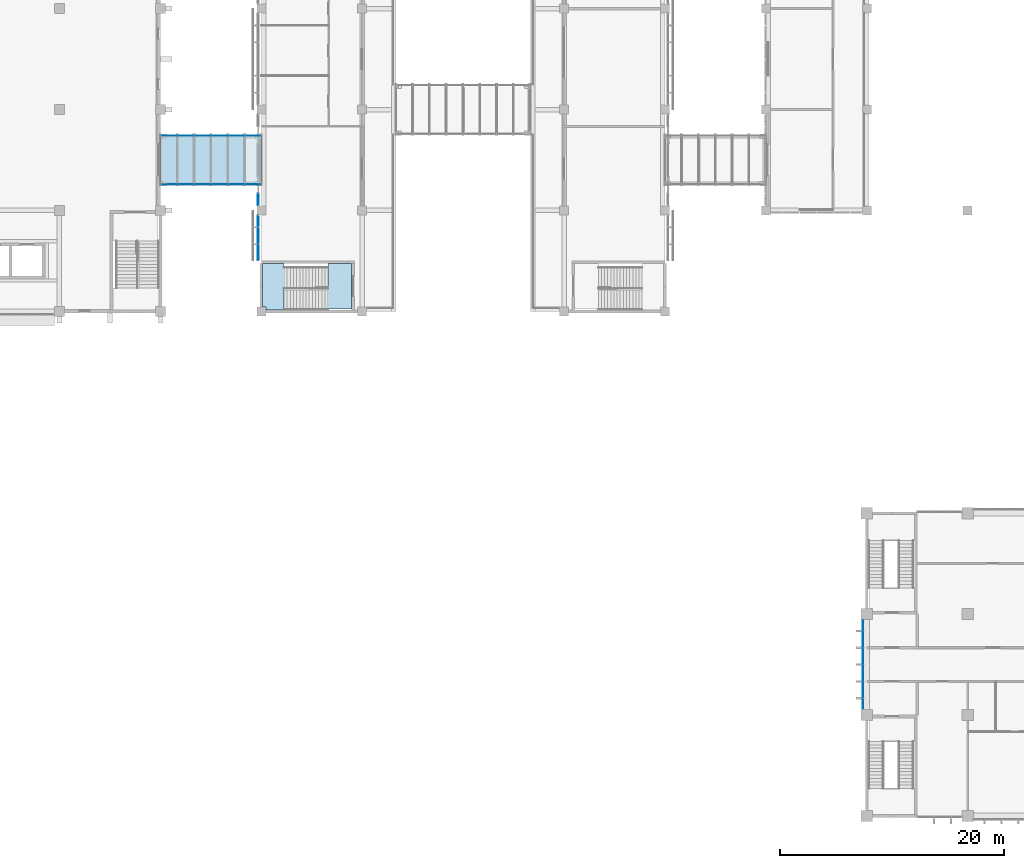
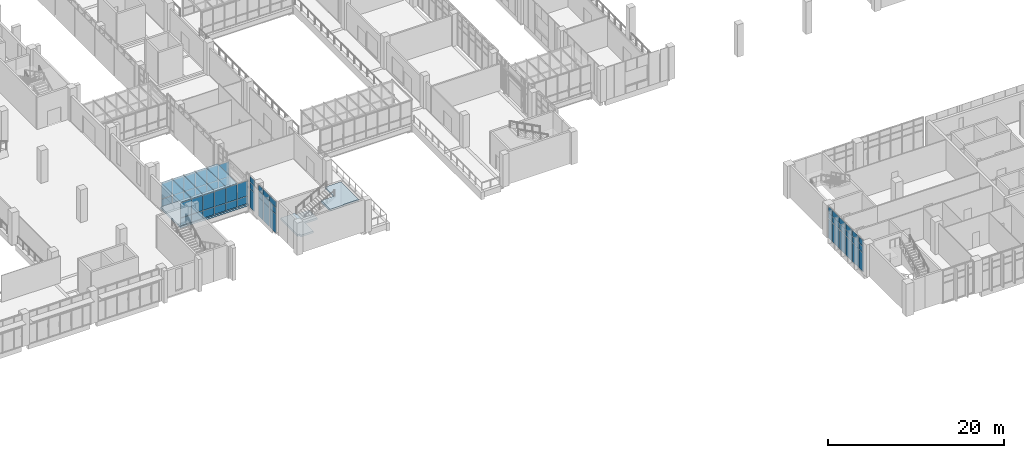
# One storey, part 41 of 88: 59 plates, 3 slabs, 7 elements without a shape of their own.
"""IFC4 building model written with IfcOpenShell, lengths in metres."""

from ifc_helpers import new_model, si_unit, direction, frame, origin, origin_2d, place, context, subcontext, project, spatial, polyline, rectangle, outline, extrude, material, layer, layer_set, type_object, element, aggregate, save


model = new_model("IFC4")

# Units and contexts
model_context = context("Model", 3, precision=1e-05, world=origin(), true_north=direction((0.0, 1.0)))
body_context = subcontext(model_context, "Body", "Model", "MODEL_VIEW")
ifc_project = project(units=[si_unit("LENGTHUNIT", "METRE"), si_unit("AREAUNIT", "SQUARE_METRE"), si_unit("VOLUMEUNIT", "CUBIC_METRE"), si_unit("PLANEANGLEUNIT", "RADIAN"), si_unit("MASSUNIT", "GRAM", prefix="KILO")], contexts=[model_context])

# Site, building, storey
site_placement = place(None, origin())
site = spatial("IfcSite", under=ifc_project, at=site_placement, CompositionType="ELEMENT")
building_placement = place(site_placement, origin())
building = spatial("IfcBuilding", under=site, at=building_placement, Name="Guidao Yard Department Store", CompositionType="ELEMENT")
storey_placement = place(building_placement, frame((0.0, 0.0, 6.0)))
storey = spatial("IfcBuildingStorey", under=building, at=storey_placement, Name="L01", CompositionType="ELEMENT", Elevation=6.0)

# Slab
ifc_material_1 = material(Name="Concrete C35", Category="concrete")
ifc_layer_1 = layer(ifc_material_1, 0.25)
ifc_layer_set_1 = layer_set([ifc_layer_1], Name="Bridge deck slab 250 C35")
slab_type_1 = type_object("IfcSlabType", Name="Bridge deck slab 250 C35", PredefinedType="FLOOR", material=ifc_layer_set_1)
slab_1_placement = place(storey_placement, frame((0.0, 0.0, -0.25)))
element("IfcSlab", 1, at=slab_1_placement, inside=storey, type_object=slab_type_1, Name="Slab BR01", PredefinedType="FLOOR", context=body_context, shape_type="SweptSolid", body=[
    extrude(outline(polyline([(63.014892578125, 56.25), (63.014892578125, 60.75), (72.0, 60.75), (72.0, 56.25), (63.014892578125, 56.25)])), origin(), (0.0, 0.0, 1.0), 0.25),
])

# Curtain wall, plates
ifc_material_2 = material(Name="Aluminium and glass", Category="aluminium")
ifc_layer_2 = layer(ifc_material_2, 0.159912109375)
ifc_layer_set_2 = layer_set([ifc_layer_2], Name="Bridge glazing CW5 1500 module")
curtain_wall_type_1 = type_object("IfcCurtainWallType", Name="Bridge glazing CW5 1500 module", PredefinedType="NOTDEFINED", material=ifc_layer_set_2)
curtain_wall_1_placement = place(storey_placement, origin())
curtain_wall_1 = element("IfcCurtainWall", 2, at=curtain_wall_1_placement, inside=storey, type_object=curtain_wall_type_1, Name="Bridge roof glazing BR01", PredefinedType="NOTDEFINED")
ifc_material_3 = material(Name="Laminated glass", Category="glass")
ifc_layer_3 = layer(ifc_material_3, 0.017578125)
ifc_layer_set_3 = layer_set([ifc_layer_3], Name="Bridge roof glass BG1 laminated 8+8 fritted")
plate_type_1 = type_object("IfcPlateType", Name="Bridge roof glass BG1 laminated 8+8 fritted", PredefinedType="CURTAIN_PANEL", material=ifc_layer_set_3)
plate_1_placement = place(storey_placement, frame((63.764892578125, 58.5, 3.34130859375), z_axis=(0.0, 0.0, 1.0), x_axis=(1.0, 0.0, 0.0)))
plate_1 = element("IfcPlate", 3, at=plate_1_placement, type_object=plate_type_1, Name="Bridge roof glass BR01", PredefinedType="CURTAIN_PANEL", context=body_context, shape_type="SweptSolid", body=[
    extrude(rectangle(XDim=1.43994140625, YDim=4.5, at=origin_2d()), origin(), (0.0, 0.0, 1.0), 0.017578125),
])
plate_2_placement = place(storey_placement, frame((65.264892578125, 58.5, 3.34130859375), z_axis=(0.0, 0.0, 1.0), x_axis=(1.0, 0.0, 0.0)))
plate_2 = element("IfcPlate", 4, at=plate_2_placement, type_object=plate_type_1, Name="Bridge roof glass BR01", PredefinedType="CURTAIN_PANEL", context=body_context, shape_type="SweptSolid", body=[
    extrude(rectangle(XDim=1.43994140625, YDim=4.5, at=origin_2d()), origin(), (0.0, 0.0, 1.0), 0.017578125),
])
plate_3_placement = place(storey_placement, frame((66.764892578125, 58.5, 3.34130859375), z_axis=(0.0, 0.0, 1.0), x_axis=(1.0, 0.0, 0.0)))
plate_3 = element("IfcPlate", 5, at=plate_3_placement, type_object=plate_type_1, Name="Bridge roof glass BR01", PredefinedType="CURTAIN_PANEL", context=body_context, shape_type="SweptSolid", body=[
    extrude(rectangle(XDim=1.43994140625, YDim=4.5, at=origin_2d()), origin(), (0.0, 0.0, 1.0), 0.017578125),
])
plate_4_placement = place(storey_placement, frame((68.264892578125, 58.5, 3.34130859375), z_axis=(0.0, 0.0, 1.0), x_axis=(1.0, 0.0, 0.0)))
plate_4 = element("IfcPlate", 6, at=plate_4_placement, type_object=plate_type_1, Name="Bridge roof glass BR01", PredefinedType="CURTAIN_PANEL", context=body_context, shape_type="SweptSolid", body=[
    extrude(rectangle(XDim=1.43994140625, YDim=4.5, at=origin_2d()), origin(), (0.0, 0.0, 1.0), 0.017578125),
])
plate_5_placement = place(storey_placement, frame((69.764892578125, 58.5, 3.34130859375), z_axis=(0.0, 0.0, 1.0), x_axis=(1.0, 0.0, 0.0)))
plate_5 = element("IfcPlate", 7, at=plate_5_placement, type_object=plate_type_1, Name="Bridge roof glass BR01", PredefinedType="CURTAIN_PANEL", context=body_context, shape_type="SweptSolid", body=[
    extrude(rectangle(XDim=1.43994140625, YDim=4.5, at=origin_2d()), origin(), (0.0, 0.0, 1.0), 0.017578125),
])
aggregate(curtain_wall_1, [plate_1, plate_2, plate_3, plate_4, plate_5])

ifc_material_4 = material(Name="Aluminium and glass", Category="aluminium")
ifc_layer_4 = layer(ifc_material_4, 0.159912109375)
ifc_layer_set_4 = layer_set([ifc_layer_4], Name="Shopfront curtain wall CW1 1500 module")
curtain_wall_type_2 = type_object("IfcCurtainWallType", Name="Shopfront curtain wall CW1 1500 module", PredefinedType="NOTDEFINED", material=ifc_layer_set_4)
curtain_wall_2_placement = place(storey_placement, origin())
curtain_wall_2 = element("IfcCurtainWall", 8, at=curtain_wall_2_placement, inside=storey, type_object=curtain_wall_type_2, Name="Arcade shop front", PredefinedType="NOTDEFINED")
ifc_material_5 = material(Name="Aluminium 6063-T5 faced insulated spandrel", Category="aluminium")
ifc_layer_5 = layer(ifc_material_5, 0.06005859375)
ifc_layer_set_5 = layer_set([ifc_layer_5], Name="Spandrel panel SP1 insulated opaque")
plate_type_2 = type_object("IfcPlateType", Name="Spandrel panel SP1 insulated opaque", PredefinedType="CURTAIN_PANEL", material=ifc_layer_set_5)
plate_6_placement = place(storey_placement, frame((71.719970703125, 50.264892578125, 3.6298828125), z_axis=(0.0, 0.0, 1.0), x_axis=(0.0, 1.0, 0.0)))
plate_6 = element("IfcPlate", 9, at=plate_6_placement, type_object=plate_type_2, Name="CW-AS-L01-01 panel 1.3", PredefinedType="CURTAIN_PANEL", context=body_context, shape_type="SweptSolid", body=[
    extrude(rectangle(XDim=1.409912109375, YDim=0.06005859375, at=origin_2d()), origin(), (0.0, 0.0, 1.0), 0.81005859375),
])
plate_7_placement = place(storey_placement, frame((71.719970703125, 51.75, 3.6298828125), z_axis=(0.0, 0.0, 1.0), x_axis=(0.0, 1.0, 0.0)))
plate_7 = element("IfcPlate", 10, at=plate_7_placement, type_object=plate_type_2, Name="CW-AS-L01-01 panel 2.3", PredefinedType="CURTAIN_PANEL", context=body_context, shape_type="SweptSolid", body=[
    extrude(rectangle(XDim=1.43994140625, YDim=0.06005859375, at=origin_2d()), origin(), (0.0, 0.0, 1.0), 0.81005859375),
])
plate_8_placement = place(storey_placement, frame((71.719970703125, 53.034912109375, 3.6298828125), z_axis=(0.0, 0.0, 1.0), x_axis=(0.0, 1.0, 0.0)))
plate_8 = element("IfcPlate", 11, at=plate_8_placement, type_object=plate_type_2, Name="CW-AS-L01-01 panel 3.3", PredefinedType="CURTAIN_PANEL", context=body_context, shape_type="SweptSolid", body=[
    extrude(rectangle(XDim=1.010009765625, YDim=0.06005859375, at=origin_2d()), origin(), (0.0, 0.0, 1.0), 0.81005859375),
])

# Curtain wall, plate
curtain_wall_3_placement = place(storey_placement, origin())
curtain_wall_3 = element("IfcCurtainWall", 12, at=curtain_wall_3_placement, inside=storey, type_object=curtain_wall_type_2, Name="Arcade shop front", PredefinedType="NOTDEFINED")
plate_9_placement = place(storey_placement, frame((71.719970703125, 54.965087890625, 3.6298828125), z_axis=(0.0, 0.0, 1.0), x_axis=(0.0, 1.0, 0.0)))
plate_9 = element("IfcPlate", 13, at=plate_9_placement, type_object=plate_type_2, Name="CW-AS-L01-02 panel 1.3", PredefinedType="CURTAIN_PANEL", context=body_context, shape_type="SweptSolid", body=[
    extrude(rectangle(XDim=1.010009765625, YDim=0.06005859375, at=origin_2d()), origin(), (0.0, 0.0, 1.0), 0.81005859375),
])

# Curtain wall, plates
ifc_material_6 = material(Name="Aluminium and glass", Category="aluminium")
ifc_layer_6 = layer(ifc_material_6, 0.159912109375)
ifc_layer_set_6 = layer_set([ifc_layer_6], Name="Unitised curtain wall CW4 1500 module")
curtain_wall_type_3 = type_object("IfcCurtainWallType", Name="Unitised curtain wall CW4 1500 module", PredefinedType="NOTDEFINED", material=ifc_layer_set_6)
curtain_wall_4_placement = place(storey_placement, origin())
curtain_wall_4 = element("IfcCurtainWall", 14, at=curtain_wall_4_placement, inside=storey, type_object=curtain_wall_type_3, Name="Unitised curtain wall", PredefinedType="NOTDEFINED")
plate_10_placement = place(storey_placement, frame((125.669921875, 10.014892578125, 3.6298828125), z_axis=(0.0, 0.0, 1.0), x_axis=(0.0, 1.0, 0.0)))
plate_10 = element("IfcPlate", 15, at=plate_10_placement, type_object=plate_type_2, Name="CW-OW-L01-05 panel 1.3", PredefinedType="CURTAIN_PANEL", context=body_context, shape_type="SweptSolid", body=[
    extrude(rectangle(XDim=0.909912109375, YDim=0.06005859375, at=origin_2d()), origin(), (0.0, 0.0, 1.0), 0.81005859375),
])
plate_11_placement = place(storey_placement, frame((125.669921875, 11.25, 3.6298828125), z_axis=(0.0, 0.0, 1.0), x_axis=(0.0, 1.0, 0.0)))
plate_11 = element("IfcPlate", 16, at=plate_11_placement, type_object=plate_type_2, Name="CW-OW-L01-05 panel 2.3", PredefinedType="CURTAIN_PANEL", context=body_context, shape_type="SweptSolid", body=[
    extrude(rectangle(XDim=1.43994140625, YDim=0.06005859375, at=origin_2d()), origin(), (0.0, 0.0, 1.0), 0.81005859375),
])
plate_12_placement = place(storey_placement, frame((125.669921875, 12.75, 3.6298828125), z_axis=(0.0, 0.0, 1.0), x_axis=(0.0, 1.0, 0.0)))
plate_12 = element("IfcPlate", 17, at=plate_12_placement, type_object=plate_type_2, Name="CW-OW-L01-05 panel 3.3", PredefinedType="CURTAIN_PANEL", context=body_context, shape_type="SweptSolid", body=[
    extrude(rectangle(XDim=1.43994140625, YDim=0.06005859375, at=origin_2d()), origin(), (0.0, 0.0, 1.0), 0.81005859375),
])
plate_13_placement = place(storey_placement, frame((125.669921875, 14.25, 3.6298828125), z_axis=(0.0, 0.0, 1.0), x_axis=(0.0, 1.0, 0.0)))
plate_13 = element("IfcPlate", 18, at=plate_13_placement, type_object=plate_type_2, Name="CW-OW-L01-05 panel 4.3", PredefinedType="CURTAIN_PANEL", context=body_context, shape_type="SweptSolid", body=[
    extrude(rectangle(XDim=1.43994140625, YDim=0.06005859375, at=origin_2d()), origin(), (0.0, 0.0, 1.0), 0.81005859375),
])
plate_14_placement = place(storey_placement, frame((125.669921875, 15.75, 3.6298828125), z_axis=(0.0, 0.0, 1.0), x_axis=(0.0, 1.0, 0.0)))
plate_14 = element("IfcPlate", 19, at=plate_14_placement, type_object=plate_type_2, Name="CW-OW-L01-05 panel 5.3", PredefinedType="CURTAIN_PANEL", context=body_context, shape_type="SweptSolid", body=[
    extrude(rectangle(XDim=1.43994140625, YDim=0.06005859375, at=origin_2d()), origin(), (0.0, 0.0, 1.0), 0.81005859375),
])
plate_15_placement = place(storey_placement, frame((125.669921875, 16.985107421875, 3.6298828125), z_axis=(0.0, 0.0, 1.0), x_axis=(0.0, 1.0, 0.0)))
plate_15 = element("IfcPlate", 20, at=plate_15_placement, type_object=plate_type_2, Name="CW-OW-L01-05 panel 6.3", PredefinedType="CURTAIN_PANEL", context=body_context, shape_type="SweptSolid", body=[
    extrude(rectangle(XDim=0.909912109375, YDim=0.06005859375, at=origin_2d()), origin(), (0.0, 0.0, 1.0), 0.81005859375),
])

# Stair, slabs
ifc_material_7 = material(Name="Concrete C35", Category="concrete")
stair_type = type_object("IfcStairType", Name="Stair half-turn two-flight 1800 wide 4.5 m rise", PredefinedType="HALF_TURN_STAIR", material=ifc_material_7)
stair_placement = place(storey_placement, origin())
stair = element("IfcStair", 21, at=stair_placement, inside=storey, type_object=stair_type, Name="Stair G1 L01 to L02", PredefinedType="HALF_TURN_STAIR")
ifc_material_8 = material(Name="Concrete C35", Category="concrete")
ifc_layer_7 = layer(ifc_material_8, 0.25)
ifc_layer_set_7 = layer_set([ifc_layer_7], Name="Stair landing RC 250 C35")
slab_type_2 = type_object("IfcSlabType", Name="Stair landing RC 250 C35", PredefinedType="LANDING", material=ifc_layer_set_7)
slab_2_placement = place(storey_placement, frame((0.0, 0.0, 2.0)))
slab_2 = element("IfcSlab", 22, at=slab_2_placement, type_object=slab_type_2, Name="SG1-L01 landing 1", PredefinedType="LANDING", context=body_context, shape_type="SweptSolid", body=[
    extrude(outline(polyline([(74.030029296875, 45.125), (72.39990234375, 45.125), (72.39990234375, 45.39990234375), (72.125, 45.39990234375), (72.125, 49.25), (74.030029296875, 49.25), (74.030029296875, 48.97509765625), (75.748046875, 48.97509765625), (75.748046875, 47.175048828125), (74.0400390625, 47.175048828125), (74.0400390625, 45.125), (74.030029296875, 45.125)])), origin(), (0.0, 0.0, 1.0), 0.25),
])
slab_3_placement = place(storey_placement, frame((0.0, 0.0, 4.25)))
slab_3 = element("IfcSlab", 23, at=slab_3_placement, type_object=slab_type_2, Name="SG1-L01 landing 2", PredefinedType="LANDING", context=body_context, shape_type="SweptSolid", body=[
    extrude(outline(polyline([(76.23193359375, 45.125), (76.23193359375, 47.175048828125), (77.93994140625, 47.175048828125), (77.93994140625, 49.25), (80.050048828125, 49.25), (80.050048828125, 47.175048828125), (80.050048828125, 45.199951171875), (77.949951171875, 45.199951171875), (77.949951171875, 45.125), (76.23193359375, 45.125)])), origin(), (0.0, 0.0, 1.0), 0.25),
])
aggregate(stair, [slab_2, slab_3])

# Plate
ifc_material_9 = material(Name="Laminated heat-soaked tempered glass", Category="glass")
ifc_layer_8 = layer(ifc_material_9, 0.017578125)
ifc_layer_set_8 = layer_set([ifc_layer_8], Name="Vision glass VG1 laminated heat-soaked tempered 8+8")
plate_type_3 = type_object("IfcPlateType", Name="Vision glass VG1 laminated heat-soaked tempered 8+8", PredefinedType="CURTAIN_PANEL", material=ifc_layer_set_8)
plate_16_placement = place(storey_placement, frame((71.719970703125, 50.264892578125, 0.06005859375), z_axis=(0.0, 0.0, 1.0), x_axis=(0.0, 1.0, 0.0)))
plate_16 = element("IfcPlate", 24, at=plate_16_placement, type_object=plate_type_3, Name="CW-AS-L01-01 panel 1.1", PredefinedType="CURTAIN_PANEL", context=body_context, shape_type="SweptSolid", body=[
    extrude(rectangle(XDim=1.409912109375, YDim=0.017578125, at=origin_2d()), origin(), (0.0, 0.0, 1.0), 2.610107421875),
])

plate_17_placement = place(storey_placement, frame((71.719970703125, 50.264892578125, 2.72998046875), z_axis=(0.0, 0.0, 1.0), x_axis=(0.0, 1.0, 0.0)))
plate_17 = element("IfcPlate", 25, at=plate_17_placement, type_object=plate_type_3, Name="CW-AS-L01-01 panel 1.2", PredefinedType="CURTAIN_PANEL", context=body_context, shape_type="SweptSolid", body=[
    extrude(rectangle(XDim=1.409912109375, YDim=0.017578125, at=origin_2d()), origin(), (0.0, 0.0, 1.0), 0.840087890625),
])

plate_18_placement = place(storey_placement, frame((71.719970703125, 51.75, 0.06005859375), z_axis=(0.0, 0.0, 1.0), x_axis=(0.0, 1.0, 0.0)))
plate_18 = element("IfcPlate", 26, at=plate_18_placement, type_object=plate_type_3, Name="CW-AS-L01-01 panel 2.1", PredefinedType="CURTAIN_PANEL", context=body_context, shape_type="SweptSolid", body=[
    extrude(rectangle(XDim=1.43994140625, YDim=0.017578125, at=origin_2d()), origin(), (0.0, 0.0, 1.0), 2.610107421875),
])

plate_19_placement = place(storey_placement, frame((71.719970703125, 51.75, 2.72998046875), z_axis=(0.0, 0.0, 1.0), x_axis=(0.0, 1.0, 0.0)))
plate_19 = element("IfcPlate", 27, at=plate_19_placement, type_object=plate_type_3, Name="CW-AS-L01-01 panel 2.2", PredefinedType="CURTAIN_PANEL", context=body_context, shape_type="SweptSolid", body=[
    extrude(rectangle(XDim=1.43994140625, YDim=0.017578125, at=origin_2d()), origin(), (0.0, 0.0, 1.0), 0.840087890625),
])

plate_20_placement = place(storey_placement, frame((71.719970703125, 53.034912109375, 0.06005859375), z_axis=(0.0, 0.0, 1.0), x_axis=(0.0, 1.0, 0.0)))
plate_20 = element("IfcPlate", 28, at=plate_20_placement, type_object=plate_type_3, Name="CW-AS-L01-01 panel 3.1", PredefinedType="CURTAIN_PANEL", context=body_context, shape_type="SweptSolid", body=[
    extrude(rectangle(XDim=1.010009765625, YDim=0.017578125, at=origin_2d()), origin(), (0.0, 0.0, 1.0), 2.610107421875),
])

plate_21_placement = place(storey_placement, frame((71.719970703125, 53.034912109375, 2.72998046875), z_axis=(0.0, 0.0, 1.0), x_axis=(0.0, 1.0, 0.0)))
plate_21 = element("IfcPlate", 29, at=plate_21_placement, type_object=plate_type_3, Name="CW-AS-L01-01 panel 3.2", PredefinedType="CURTAIN_PANEL", context=body_context, shape_type="SweptSolid", body=[
    extrude(rectangle(XDim=1.010009765625, YDim=0.017578125, at=origin_2d()), origin(), (0.0, 0.0, 1.0), 0.840087890625),
])

aggregate(curtain_wall_2, [plate_16, plate_17, plate_6, plate_18, plate_19, plate_7, plate_20, plate_21, plate_8])

plate_22_placement = place(storey_placement, frame((71.719970703125, 54.965087890625, 0.06005859375), z_axis=(0.0, 0.0, 1.0), x_axis=(0.0, 1.0, 0.0)))
plate_22 = element("IfcPlate", 30, at=plate_22_placement, type_object=plate_type_3, Name="CW-AS-L01-02 panel 1.1", PredefinedType="CURTAIN_PANEL", context=body_context, shape_type="SweptSolid", body=[
    extrude(rectangle(XDim=1.010009765625, YDim=0.017578125, at=origin_2d()), origin(), (0.0, 0.0, 1.0), 2.610107421875),
])

plate_23_placement = place(storey_placement, frame((71.719970703125, 54.965087890625, 2.72998046875), z_axis=(0.0, 0.0, 1.0), x_axis=(0.0, 1.0, 0.0)))
plate_23 = element("IfcPlate", 31, at=plate_23_placement, type_object=plate_type_3, Name="CW-AS-L01-02 panel 1.2", PredefinedType="CURTAIN_PANEL", context=body_context, shape_type="SweptSolid", body=[
    extrude(rectangle(XDim=1.010009765625, YDim=0.017578125, at=origin_2d()), origin(), (0.0, 0.0, 1.0), 0.840087890625),
])

aggregate(curtain_wall_3, [plate_22, plate_23, plate_9])

plate_24_placement = place(storey_placement, frame((125.669921875, 10.014892578125, 0.06005859375), z_axis=(0.0, 0.0, 1.0), x_axis=(0.0, 1.0, 0.0)))
plate_24 = element("IfcPlate", 32, at=plate_24_placement, type_object=plate_type_3, Name="CW-OW-L01-05 panel 1.1", PredefinedType="CURTAIN_PANEL", context=body_context, shape_type="SweptSolid", body=[
    extrude(rectangle(XDim=0.909912109375, YDim=0.017578125, at=origin_2d()), origin(), (0.0, 0.0, 1.0), 2.610107421875),
])

plate_25_placement = place(storey_placement, frame((125.669921875, 10.014892578125, 2.72998046875), z_axis=(0.0, 0.0, 1.0), x_axis=(0.0, 1.0, 0.0)))
plate_25 = element("IfcPlate", 33, at=plate_25_placement, type_object=plate_type_3, Name="CW-OW-L01-05 panel 1.2", PredefinedType="CURTAIN_PANEL", context=body_context, shape_type="SweptSolid", body=[
    extrude(rectangle(XDim=0.909912109375, YDim=0.017578125, at=origin_2d()), origin(), (0.0, 0.0, 1.0), 0.840087890625),
])

plate_26_placement = place(storey_placement, frame((125.669921875, 11.25, 0.06005859375), z_axis=(0.0, 0.0, 1.0), x_axis=(0.0, 1.0, 0.0)))
plate_26 = element("IfcPlate", 34, at=plate_26_placement, type_object=plate_type_3, Name="CW-OW-L01-05 panel 2.1", PredefinedType="CURTAIN_PANEL", context=body_context, shape_type="SweptSolid", body=[
    extrude(rectangle(XDim=1.43994140625, YDim=0.017578125, at=origin_2d()), origin(), (0.0, 0.0, 1.0), 2.610107421875),
])

plate_27_placement = place(storey_placement, frame((125.669921875, 11.25, 2.72998046875), z_axis=(0.0, 0.0, 1.0), x_axis=(0.0, 1.0, 0.0)))
plate_27 = element("IfcPlate", 35, at=plate_27_placement, type_object=plate_type_3, Name="CW-OW-L01-05 panel 2.2", PredefinedType="CURTAIN_PANEL", context=body_context, shape_type="SweptSolid", body=[
    extrude(rectangle(XDim=1.43994140625, YDim=0.017578125, at=origin_2d()), origin(), (0.0, 0.0, 1.0), 0.840087890625),
])

plate_28_placement = place(storey_placement, frame((125.669921875, 12.75, 0.06005859375), z_axis=(0.0, 0.0, 1.0), x_axis=(0.0, 1.0, 0.0)))
plate_28 = element("IfcPlate", 36, at=plate_28_placement, type_object=plate_type_3, Name="CW-OW-L01-05 panel 3.1", PredefinedType="CURTAIN_PANEL", context=body_context, shape_type="SweptSolid", body=[
    extrude(rectangle(XDim=1.43994140625, YDim=0.017578125, at=origin_2d()), origin(), (0.0, 0.0, 1.0), 2.610107421875),
])

plate_29_placement = place(storey_placement, frame((125.669921875, 12.75, 2.72998046875), z_axis=(0.0, 0.0, 1.0), x_axis=(0.0, 1.0, 0.0)))
plate_29 = element("IfcPlate", 37, at=plate_29_placement, type_object=plate_type_3, Name="CW-OW-L01-05 panel 3.2", PredefinedType="CURTAIN_PANEL", context=body_context, shape_type="SweptSolid", body=[
    extrude(rectangle(XDim=1.43994140625, YDim=0.017578125, at=origin_2d()), origin(), (0.0, 0.0, 1.0), 0.840087890625),
])

plate_30_placement = place(storey_placement, frame((125.669921875, 14.25, 0.06005859375), z_axis=(0.0, 0.0, 1.0), x_axis=(0.0, 1.0, 0.0)))
plate_30 = element("IfcPlate", 38, at=plate_30_placement, type_object=plate_type_3, Name="CW-OW-L01-05 panel 4.1", PredefinedType="CURTAIN_PANEL", context=body_context, shape_type="SweptSolid", body=[
    extrude(rectangle(XDim=1.43994140625, YDim=0.017578125, at=origin_2d()), origin(), (0.0, 0.0, 1.0), 2.610107421875),
])

plate_31_placement = place(storey_placement, frame((125.669921875, 14.25, 2.72998046875), z_axis=(0.0, 0.0, 1.0), x_axis=(0.0, 1.0, 0.0)))
plate_31 = element("IfcPlate", 39, at=plate_31_placement, type_object=plate_type_3, Name="CW-OW-L01-05 panel 4.2", PredefinedType="CURTAIN_PANEL", context=body_context, shape_type="SweptSolid", body=[
    extrude(rectangle(XDim=1.43994140625, YDim=0.017578125, at=origin_2d()), origin(), (0.0, 0.0, 1.0), 0.840087890625),
])

plate_32_placement = place(storey_placement, frame((125.669921875, 15.75, 0.06005859375), z_axis=(0.0, 0.0, 1.0), x_axis=(0.0, 1.0, 0.0)))
plate_32 = element("IfcPlate", 40, at=plate_32_placement, type_object=plate_type_3, Name="CW-OW-L01-05 panel 5.1", PredefinedType="CURTAIN_PANEL", context=body_context, shape_type="SweptSolid", body=[
    extrude(rectangle(XDim=1.43994140625, YDim=0.017578125, at=origin_2d()), origin(), (0.0, 0.0, 1.0), 2.610107421875),
])

plate_33_placement = place(storey_placement, frame((125.669921875, 15.75, 2.72998046875), z_axis=(0.0, 0.0, 1.0), x_axis=(0.0, 1.0, 0.0)))
plate_33 = element("IfcPlate", 41, at=plate_33_placement, type_object=plate_type_3, Name="CW-OW-L01-05 panel 5.2", PredefinedType="CURTAIN_PANEL", context=body_context, shape_type="SweptSolid", body=[
    extrude(rectangle(XDim=1.43994140625, YDim=0.017578125, at=origin_2d()), origin(), (0.0, 0.0, 1.0), 0.840087890625),
])

plate_34_placement = place(storey_placement, frame((125.669921875, 16.985107421875, 0.06005859375), z_axis=(0.0, 0.0, 1.0), x_axis=(0.0, 1.0, 0.0)))
plate_34 = element("IfcPlate", 42, at=plate_34_placement, type_object=plate_type_3, Name="CW-OW-L01-05 panel 6.1", PredefinedType="CURTAIN_PANEL", context=body_context, shape_type="SweptSolid", body=[
    extrude(rectangle(XDim=0.909912109375, YDim=0.017578125, at=origin_2d()), origin(), (0.0, 0.0, 1.0), 2.610107421875),
])

plate_35_placement = place(storey_placement, frame((125.669921875, 16.985107421875, 2.72998046875), z_axis=(0.0, 0.0, 1.0), x_axis=(0.0, 1.0, 0.0)))
plate_35 = element("IfcPlate", 43, at=plate_35_placement, type_object=plate_type_3, Name="CW-OW-L01-05 panel 6.2", PredefinedType="CURTAIN_PANEL", context=body_context, shape_type="SweptSolid", body=[
    extrude(rectangle(XDim=0.909912109375, YDim=0.017578125, at=origin_2d()), origin(), (0.0, 0.0, 1.0), 0.840087890625),
])

aggregate(curtain_wall_4, [plate_24, plate_25, plate_10, plate_26, plate_27, plate_11, plate_28, plate_29, plate_12, plate_30, plate_31, plate_13, plate_32, plate_33, plate_14, plate_34, plate_35, plate_15])

# Curtain wall, plates
curtain_wall_5_placement = place(storey_placement, origin())
curtain_wall_5 = element("IfcCurtainWall", 44, at=curtain_wall_5_placement, inside=storey, type_object=curtain_wall_type_1, Name="Bridge glazing BR01 S", PredefinedType="NOTDEFINED")
plate_36_placement = place(storey_placement, frame((63.780029296875, 56.330078125, 0.06005859375), z_axis=(0.0, 0.0, 1.0), x_axis=(-1.0, 0.0, 0.0)))
plate_36 = element("IfcPlate", 45, at=plate_36_placement, type_object=plate_type_3, Name="CW-S-L01-01 panel 1.1", PredefinedType="CURTAIN_PANEL", context=body_context, shape_type="SweptSolid", body=[
    extrude(rectangle(XDim=1.409912109375, YDim=0.017578125, at=origin_2d()), origin(), (0.0, 0.0, 1.0), 1.010009765625),
])
plate_37_placement = place(storey_placement, frame((63.780029296875, 56.330078125, 1.1298828125), z_axis=(0.0, 0.0, 1.0), x_axis=(-1.0, 0.0, 0.0)))
plate_37 = element("IfcPlate", 46, at=plate_37_placement, type_object=plate_type_3, Name="CW-S-L01-01 panel 1.2", PredefinedType="CURTAIN_PANEL", context=body_context, shape_type="SweptSolid", body=[
    extrude(rectangle(XDim=1.409912109375, YDim=0.017578125, at=origin_2d()), origin(), (0.0, 0.0, 1.0), 2.080078125),
])
plate_38_placement = place(storey_placement, frame((65.264892578125, 56.330078125, 0.06005859375), z_axis=(0.0, 0.0, 1.0), x_axis=(-1.0, 0.0, 0.0)))
plate_38 = element("IfcPlate", 47, at=plate_38_placement, type_object=plate_type_3, Name="CW-S-L01-01 panel 2.1", PredefinedType="CURTAIN_PANEL", context=body_context, shape_type="SweptSolid", body=[
    extrude(rectangle(XDim=1.43994140625, YDim=0.017578125, at=origin_2d()), origin(), (0.0, 0.0, 1.0), 1.010009765625),
])
plate_39_placement = place(storey_placement, frame((65.264892578125, 56.330078125, 1.1298828125), z_axis=(0.0, 0.0, 1.0), x_axis=(-1.0, 0.0, 0.0)))
plate_39 = element("IfcPlate", 48, at=plate_39_placement, type_object=plate_type_3, Name="CW-S-L01-01 panel 2.2", PredefinedType="CURTAIN_PANEL", context=body_context, shape_type="SweptSolid", body=[
    extrude(rectangle(XDim=1.43994140625, YDim=0.017578125, at=origin_2d()), origin(), (0.0, 0.0, 1.0), 2.080078125),
])
plate_40_placement = place(storey_placement, frame((66.764892578125, 56.330078125, 0.06005859375), z_axis=(0.0, 0.0, 1.0), x_axis=(-1.0, 0.0, 0.0)))
plate_40 = element("IfcPlate", 49, at=plate_40_placement, type_object=plate_type_3, Name="CW-S-L01-01 panel 3.1", PredefinedType="CURTAIN_PANEL", context=body_context, shape_type="SweptSolid", body=[
    extrude(rectangle(XDim=1.43994140625, YDim=0.017578125, at=origin_2d()), origin(), (0.0, 0.0, 1.0), 1.010009765625),
])
plate_41_placement = place(storey_placement, frame((66.764892578125, 56.330078125, 1.1298828125), z_axis=(0.0, 0.0, 1.0), x_axis=(-1.0, 0.0, 0.0)))
plate_41 = element("IfcPlate", 50, at=plate_41_placement, type_object=plate_type_3, Name="CW-S-L01-01 panel 3.2", PredefinedType="CURTAIN_PANEL", context=body_context, shape_type="SweptSolid", body=[
    extrude(rectangle(XDim=1.43994140625, YDim=0.017578125, at=origin_2d()), origin(), (0.0, 0.0, 1.0), 2.080078125),
])
plate_42_placement = place(storey_placement, frame((68.264892578125, 56.330078125, 0.06005859375), z_axis=(0.0, 0.0, 1.0), x_axis=(-1.0, 0.0, 0.0)))
plate_42 = element("IfcPlate", 51, at=plate_42_placement, type_object=plate_type_3, Name="CW-S-L01-01 panel 4.1", PredefinedType="CURTAIN_PANEL", context=body_context, shape_type="SweptSolid", body=[
    extrude(rectangle(XDim=1.43994140625, YDim=0.017578125, at=origin_2d()), origin(), (0.0, 0.0, 1.0), 1.010009765625),
])
plate_43_placement = place(storey_placement, frame((68.264892578125, 56.330078125, 1.1298828125), z_axis=(0.0, 0.0, 1.0), x_axis=(-1.0, 0.0, 0.0)))
plate_43 = element("IfcPlate", 52, at=plate_43_placement, type_object=plate_type_3, Name="CW-S-L01-01 panel 4.2", PredefinedType="CURTAIN_PANEL", context=body_context, shape_type="SweptSolid", body=[
    extrude(rectangle(XDim=1.43994140625, YDim=0.017578125, at=origin_2d()), origin(), (0.0, 0.0, 1.0), 2.080078125),
])
plate_44_placement = place(storey_placement, frame((69.764892578125, 56.330078125, 0.06005859375), z_axis=(0.0, 0.0, 1.0), x_axis=(-1.0, 0.0, 0.0)))
plate_44 = element("IfcPlate", 53, at=plate_44_placement, type_object=plate_type_3, Name="CW-S-L01-01 panel 5.1", PredefinedType="CURTAIN_PANEL", context=body_context, shape_type="SweptSolid", body=[
    extrude(rectangle(XDim=1.43994140625, YDim=0.017578125, at=origin_2d()), origin(), (0.0, 0.0, 1.0), 1.010009765625),
])
plate_45_placement = place(storey_placement, frame((69.764892578125, 56.330078125, 1.1298828125), z_axis=(0.0, 0.0, 1.0), x_axis=(-1.0, 0.0, 0.0)))
plate_45 = element("IfcPlate", 54, at=plate_45_placement, type_object=plate_type_3, Name="CW-S-L01-01 panel 5.2", PredefinedType="CURTAIN_PANEL", context=body_context, shape_type="SweptSolid", body=[
    extrude(rectangle(XDim=1.43994140625, YDim=0.017578125, at=origin_2d()), origin(), (0.0, 0.0, 1.0), 2.080078125),
])
plate_46_placement = place(storey_placement, frame((71.242431640625, 56.330078125, 0.06005859375), z_axis=(0.0, 0.0, 1.0), x_axis=(-1.0, 0.0, 0.0)))
plate_46 = element("IfcPlate", 55, at=plate_46_placement, type_object=plate_type_3, Name="CW-S-L01-01 panel 6.1", PredefinedType="CURTAIN_PANEL", context=body_context, shape_type="SweptSolid", body=[
    extrude(rectangle(XDim=1.39501953125, YDim=0.017578125, at=origin_2d()), origin(), (0.0, 0.0, 1.0), 1.010009765625),
])
plate_47_placement = place(storey_placement, frame((71.242431640625, 56.330078125, 1.1298828125), z_axis=(0.0, 0.0, 1.0), x_axis=(-1.0, 0.0, 0.0)))
plate_47 = element("IfcPlate", 56, at=plate_47_placement, type_object=plate_type_3, Name="CW-S-L01-01 panel 6.2", PredefinedType="CURTAIN_PANEL", context=body_context, shape_type="SweptSolid", body=[
    extrude(rectangle(XDim=1.39501953125, YDim=0.017578125, at=origin_2d()), origin(), (0.0, 0.0, 1.0), 2.080078125),
])
aggregate(curtain_wall_5, [plate_36, plate_37, plate_38, plate_39, plate_40, plate_41, plate_42, plate_43, plate_44, plate_45, plate_46, plate_47])

curtain_wall_6_placement = place(storey_placement, origin())
curtain_wall_6 = element("IfcCurtainWall", 57, at=curtain_wall_6_placement, inside=storey, type_object=curtain_wall_type_1, Name="Bridge glazing BR01 N", PredefinedType="NOTDEFINED")
plate_48_placement = place(storey_placement, frame((63.780029296875, 60.669921875, 0.06005859375), z_axis=(0.0, 0.0, 1.0), x_axis=(1.0, 0.0, 0.0)))
plate_48 = element("IfcPlate", 58, at=plate_48_placement, type_object=plate_type_3, Name="CW-N-L01-02 panel 1.1", PredefinedType="CURTAIN_PANEL", context=body_context, shape_type="SweptSolid", body=[
    extrude(rectangle(XDim=1.409912109375, YDim=0.017578125, at=origin_2d()), origin(), (0.0, 0.0, 1.0), 1.010009765625),
])
plate_49_placement = place(storey_placement, frame((63.780029296875, 60.669921875, 1.1298828125), z_axis=(0.0, 0.0, 1.0), x_axis=(1.0, 0.0, 0.0)))
plate_49 = element("IfcPlate", 59, at=plate_49_placement, type_object=plate_type_3, Name="CW-N-L01-02 panel 1.2", PredefinedType="CURTAIN_PANEL", context=body_context, shape_type="SweptSolid", body=[
    extrude(rectangle(XDim=1.409912109375, YDim=0.017578125, at=origin_2d()), origin(), (0.0, 0.0, 1.0), 2.080078125),
])
plate_50_placement = place(storey_placement, frame((65.264892578125, 60.669921875, 0.06005859375), z_axis=(0.0, 0.0, 1.0), x_axis=(1.0, 0.0, 0.0)))
plate_50 = element("IfcPlate", 60, at=plate_50_placement, type_object=plate_type_3, Name="CW-N-L01-02 panel 2.1", PredefinedType="CURTAIN_PANEL", context=body_context, shape_type="SweptSolid", body=[
    extrude(rectangle(XDim=1.43994140625, YDim=0.017578125, at=origin_2d()), origin(), (0.0, 0.0, 1.0), 1.010009765625),
])
plate_51_placement = place(storey_placement, frame((65.264892578125, 60.669921875, 1.1298828125), z_axis=(0.0, 0.0, 1.0), x_axis=(1.0, 0.0, 0.0)))
plate_51 = element("IfcPlate", 61, at=plate_51_placement, type_object=plate_type_3, Name="CW-N-L01-02 panel 2.2", PredefinedType="CURTAIN_PANEL", context=body_context, shape_type="SweptSolid", body=[
    extrude(rectangle(XDim=1.43994140625, YDim=0.017578125, at=origin_2d()), origin(), (0.0, 0.0, 1.0), 2.080078125),
])
plate_52_placement = place(storey_placement, frame((66.764892578125, 60.669921875, 0.06005859375), z_axis=(0.0, 0.0, 1.0), x_axis=(1.0, 0.0, 0.0)))
plate_52 = element("IfcPlate", 62, at=plate_52_placement, type_object=plate_type_3, Name="CW-N-L01-02 panel 3.1", PredefinedType="CURTAIN_PANEL", context=body_context, shape_type="SweptSolid", body=[
    extrude(rectangle(XDim=1.43994140625, YDim=0.017578125, at=origin_2d()), origin(), (0.0, 0.0, 1.0), 1.010009765625),
])
plate_53_placement = place(storey_placement, frame((66.764892578125, 60.669921875, 1.1298828125), z_axis=(0.0, 0.0, 1.0), x_axis=(1.0, 0.0, 0.0)))
plate_53 = element("IfcPlate", 63, at=plate_53_placement, type_object=plate_type_3, Name="CW-N-L01-02 panel 3.2", PredefinedType="CURTAIN_PANEL", context=body_context, shape_type="SweptSolid", body=[
    extrude(rectangle(XDim=1.43994140625, YDim=0.017578125, at=origin_2d()), origin(), (0.0, 0.0, 1.0), 2.080078125),
])
plate_54_placement = place(storey_placement, frame((68.264892578125, 60.669921875, 0.06005859375), z_axis=(0.0, 0.0, 1.0), x_axis=(1.0, 0.0, 0.0)))
plate_54 = element("IfcPlate", 64, at=plate_54_placement, type_object=plate_type_3, Name="CW-N-L01-02 panel 4.1", PredefinedType="CURTAIN_PANEL", context=body_context, shape_type="SweptSolid", body=[
    extrude(rectangle(XDim=1.43994140625, YDim=0.017578125, at=origin_2d()), origin(), (0.0, 0.0, 1.0), 1.010009765625),
])
plate_55_placement = place(storey_placement, frame((68.264892578125, 60.669921875, 1.1298828125), z_axis=(0.0, 0.0, 1.0), x_axis=(1.0, 0.0, 0.0)))
plate_55 = element("IfcPlate", 65, at=plate_55_placement, type_object=plate_type_3, Name="CW-N-L01-02 panel 4.2", PredefinedType="CURTAIN_PANEL", context=body_context, shape_type="SweptSolid", body=[
    extrude(rectangle(XDim=1.43994140625, YDim=0.017578125, at=origin_2d()), origin(), (0.0, 0.0, 1.0), 2.080078125),
])
plate_56_placement = place(storey_placement, frame((69.764892578125, 60.669921875, 0.06005859375), z_axis=(0.0, 0.0, 1.0), x_axis=(1.0, 0.0, 0.0)))
plate_56 = element("IfcPlate", 66, at=plate_56_placement, type_object=plate_type_3, Name="CW-N-L01-02 panel 5.1", PredefinedType="CURTAIN_PANEL", context=body_context, shape_type="SweptSolid", body=[
    extrude(rectangle(XDim=1.43994140625, YDim=0.017578125, at=origin_2d()), origin(), (0.0, 0.0, 1.0), 1.010009765625),
])
plate_57_placement = place(storey_placement, frame((69.764892578125, 60.669921875, 1.1298828125), z_axis=(0.0, 0.0, 1.0), x_axis=(1.0, 0.0, 0.0)))
plate_57 = element("IfcPlate", 67, at=plate_57_placement, type_object=plate_type_3, Name="CW-N-L01-02 panel 5.2", PredefinedType="CURTAIN_PANEL", context=body_context, shape_type="SweptSolid", body=[
    extrude(rectangle(XDim=1.43994140625, YDim=0.017578125, at=origin_2d()), origin(), (0.0, 0.0, 1.0), 2.080078125),
])
plate_58_placement = place(storey_placement, frame((71.242431640625, 60.669921875, 0.06005859375), z_axis=(0.0, 0.0, 1.0), x_axis=(1.0, 0.0, 0.0)))
plate_58 = element("IfcPlate", 68, at=plate_58_placement, type_object=plate_type_3, Name="CW-N-L01-02 panel 6.1", PredefinedType="CURTAIN_PANEL", context=body_context, shape_type="SweptSolid", body=[
    extrude(rectangle(XDim=1.39501953125, YDim=0.017578125, at=origin_2d()), origin(), (0.0, 0.0, 1.0), 1.010009765625),
])
plate_59_placement = place(storey_placement, frame((71.242431640625, 60.669921875, 1.1298828125), z_axis=(0.0, 0.0, 1.0), x_axis=(1.0, 0.0, 0.0)))
plate_59 = element("IfcPlate", 69, at=plate_59_placement, type_object=plate_type_3, Name="CW-N-L01-02 panel 6.2", PredefinedType="CURTAIN_PANEL", context=body_context, shape_type="SweptSolid", body=[
    extrude(rectangle(XDim=1.39501953125, YDim=0.017578125, at=origin_2d()), origin(), (0.0, 0.0, 1.0), 2.080078125),
])
aggregate(curtain_wall_6, [plate_48, plate_49, plate_50, plate_51, plate_52, plate_53, plate_54, plate_55, plate_56, plate_57, plate_58, plate_59])

save(model, "model.ifc")
